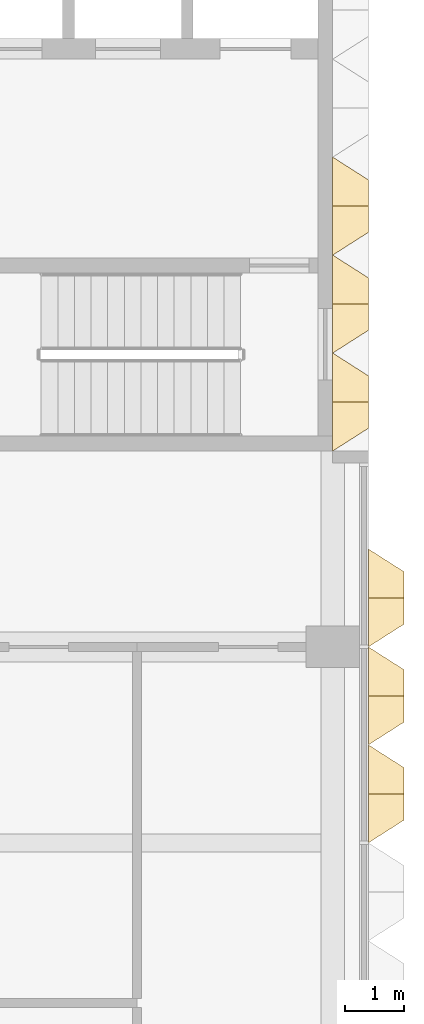
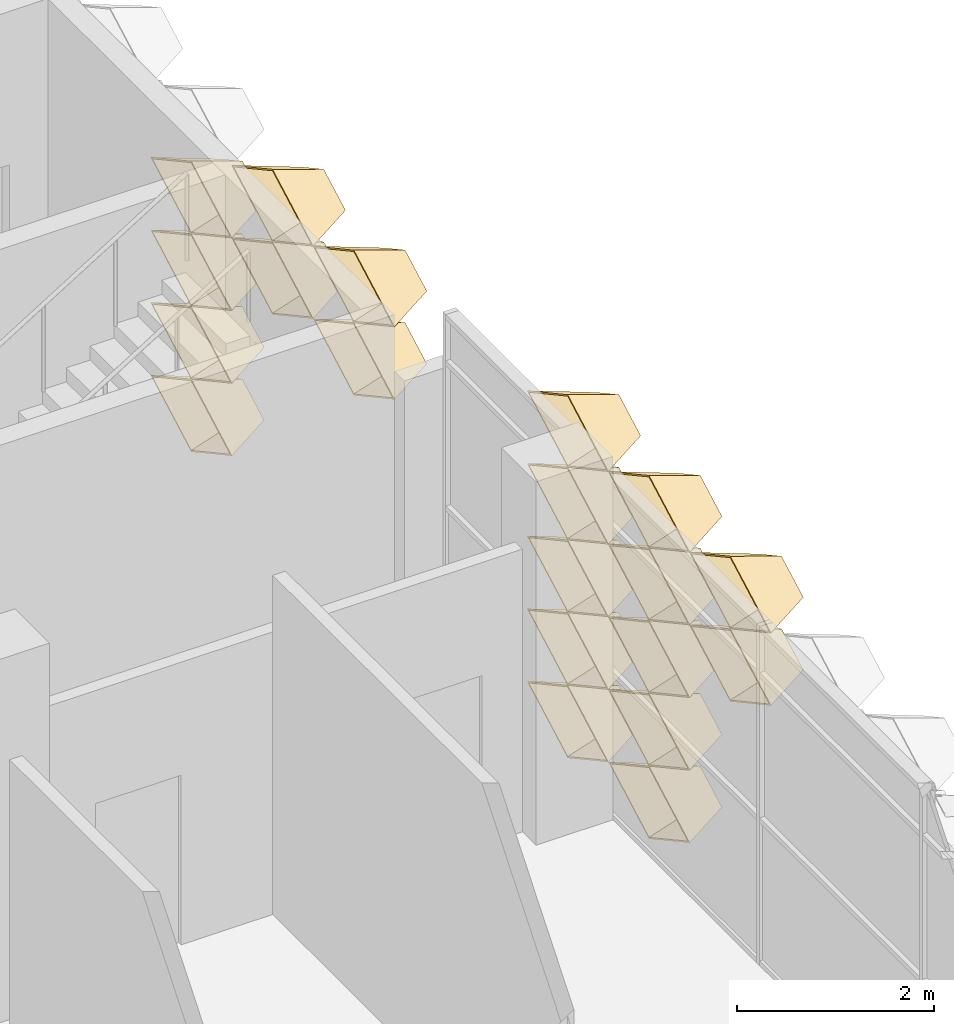
# One storey, part 82 of 109: 20 coverings.
"""IFC4 building model written with IfcOpenShell, lengths in metres."""

from ifc_helpers import new_model, entity, si_unit, direction, frame, origin, place, context, subcontext, project, spatial, material, layer, layer_set, type_object, element, save


model = new_model("IFC4")

# Units and contexts
model_context = context("Model", 3, precision=1e-05, world=origin(), true_north=direction((0.0, 1.0)))
body_context = subcontext(model_context, "Body", "Model", "MODEL_VIEW")
ifc_project = project(units=[si_unit("LENGTHUNIT", "METRE"), si_unit("AREAUNIT", "SQUARE_METRE"), si_unit("VOLUMEUNIT", "CUBIC_METRE"), si_unit("PLANEANGLEUNIT", "RADIAN"), si_unit("MASSUNIT", "GRAM", prefix="KILO")], contexts=[model_context])

# Site, building, storey
site_placement = place(None, origin())
site = spatial("IfcSite", under=ifc_project, at=site_placement, CompositionType="ELEMENT")
building_placement = place(site_placement, origin())
building = spatial("IfcBuilding", under=site, at=building_placement, Name="Lantern Court Research Institute", CompositionType="ELEMENT")
storey_placement = place(building_placement, frame((0.0, 0.0, 14.39990234375)))
storey = spatial("IfcBuildingStorey", under=building, at=storey_placement, Name="L03", CompositionType="ELEMENT", Elevation=14.39990234375)

# Coverings
ifc_material = material(Name="Anodised aluminium", Category="aluminium")
ifc_layer = layer(ifc_material, 0.01611328125)
ifc_layer_set = layer_set([ifc_layer], Name="Anodised aluminium")
covering_type = type_object("IfcCoveringType", Name="Fin cassette 1650 x 900 x 600 aluminium", PredefinedType="CLADDING", material=ifc_layer_set)
covering_1_placement = place(storey_placement, frame((79.199951171875, 17.324951171875, 0.4501953125), z_axis=(1.0, 0.0, 0.0), x_axis=(0.0, 1.0, 0.0)))
cartesian_point_1 = entity("IfcCartesianPoint", [0.824951171875, 0.0])
cartesian_point_2 = entity("IfcCartesianPoint", [0.79150390625, 0.0])
cartesian_point_3 = entity("IfcCartesianPoint", [0.44189453125, 0.0])
cartesian_point_4 = entity("IfcCartesianPoint", [0.43359375, 0.0])
element("IfcCovering", 1, at=covering_1_placement, inside=storey, type_object=covering_type, Name="Fin cassette V5E-L03 1.11", PredefinedType="CLADDING", context=body_context, shape_type="SweptSolid", body=[
    entity("IfcExtrudedAreaSolidTapered", entity("IfcArbitraryProfileDefWithVoids", "AREA", None, entity("IfcPolyline", [cartesian_point_1, entity("IfcCartesianPoint", [0.0, 0.449951171875]), entity("IfcCartesianPoint", [-0.824951171875, 0.0]), entity("IfcCartesianPoint", [0.0, -0.449951171875]), cartesian_point_1]), [entity("IfcPolyline", [cartesian_point_2, entity("IfcCartesianPoint", [0.0, 0.431884765625]), entity("IfcCartesianPoint", [-0.79150390625, 0.0]), entity("IfcCartesianPoint", [0.0, -0.431884765625]), cartesian_point_2])]), entity("IfcAxis2Placement3D", entity("IfcCartesianPoint", [0.0, 0.0, 0.0])), entity("IfcDirection", [0.0, 0.0, 1.0]), 0.60009765625, entity("IfcArbitraryProfileDefWithVoids", "AREA", None, entity("IfcPolyline", [cartesian_point_3, entity("IfcCartesianPoint", [0.0, 0.240966796875]), entity("IfcCartesianPoint", [-0.44189453125, 0.0]), entity("IfcCartesianPoint", [0.0, -0.240966796875]), cartesian_point_3]), [entity("IfcPolyline", [cartesian_point_4, entity("IfcCartesianPoint", [0.0, 0.236572265625]), entity("IfcCartesianPoint", [-0.43359375, 0.0]), entity("IfcCartesianPoint", [0.0, -0.236572265625]), cartesian_point_4])])),
])
covering_2_placement = place(storey_placement, frame((79.199951171875, 17.324951171875, 1.35009765625), z_axis=(1.0, 0.0, 0.0), x_axis=(0.0, 1.0, 0.0)))
cartesian_point_5 = entity("IfcCartesianPoint", [0.824951171875, 0.0])
cartesian_point_6 = entity("IfcCartesianPoint", [0.79150390625, 0.0])
cartesian_point_7 = entity("IfcCartesianPoint", [0.44189453125, 0.0])
cartesian_point_8 = entity("IfcCartesianPoint", [0.43359375, 0.0])
element("IfcCovering", 2, at=covering_2_placement, inside=storey, type_object=covering_type, Name="Fin cassette V5E-L03 2.11", PredefinedType="CLADDING", context=body_context, shape_type="SweptSolid", body=[
    entity("IfcExtrudedAreaSolidTapered", entity("IfcArbitraryProfileDefWithVoids", "AREA", None, entity("IfcPolyline", [cartesian_point_5, entity("IfcCartesianPoint", [0.0, 0.449951171875]), entity("IfcCartesianPoint", [-0.824951171875, 0.0]), entity("IfcCartesianPoint", [0.0, -0.449951171875]), cartesian_point_5]), [entity("IfcPolyline", [cartesian_point_6, entity("IfcCartesianPoint", [0.0, 0.431884765625]), entity("IfcCartesianPoint", [-0.79150390625, 0.0]), entity("IfcCartesianPoint", [0.0, -0.431884765625]), cartesian_point_6])]), entity("IfcAxis2Placement3D", entity("IfcCartesianPoint", [0.0, 0.0, 0.0])), entity("IfcDirection", [0.0, 0.0, 1.0]), 0.60009765625, entity("IfcArbitraryProfileDefWithVoids", "AREA", None, entity("IfcPolyline", [cartesian_point_7, entity("IfcCartesianPoint", [0.0, 0.240966796875]), entity("IfcCartesianPoint", [-0.44189453125, 0.0]), entity("IfcCartesianPoint", [0.0, -0.240966796875]), cartesian_point_7]), [entity("IfcPolyline", [cartesian_point_8, entity("IfcCartesianPoint", [0.0, 0.236572265625]), entity("IfcCartesianPoint", [-0.43359375, 0.0]), entity("IfcCartesianPoint", [0.0, -0.236572265625]), cartesian_point_8])])),
])
covering_3_placement = place(storey_placement, frame((79.199951171875, 17.324951171875, 2.25), z_axis=(1.0, 0.0, 0.0), x_axis=(0.0, 1.0, 0.0)))
cartesian_point_9 = entity("IfcCartesianPoint", [0.824951171875, 0.0])
cartesian_point_10 = entity("IfcCartesianPoint", [0.79150390625, 0.0])
cartesian_point_11 = entity("IfcCartesianPoint", [0.44189453125, 0.0])
cartesian_point_12 = entity("IfcCartesianPoint", [0.43359375, 0.0])
element("IfcCovering", 3, at=covering_3_placement, inside=storey, type_object=covering_type, Name="Fin cassette V5E-L03 3.11", PredefinedType="CLADDING", context=body_context, shape_type="SweptSolid", body=[
    entity("IfcExtrudedAreaSolidTapered", entity("IfcArbitraryProfileDefWithVoids", "AREA", None, entity("IfcPolyline", [cartesian_point_9, entity("IfcCartesianPoint", [0.0, 0.449951171875]), entity("IfcCartesianPoint", [-0.824951171875, 0.0]), entity("IfcCartesianPoint", [0.0, -0.449951171875]), cartesian_point_9]), [entity("IfcPolyline", [cartesian_point_10, entity("IfcCartesianPoint", [0.0, 0.431884765625]), entity("IfcCartesianPoint", [-0.79150390625, 0.0]), entity("IfcCartesianPoint", [0.0, -0.431884765625]), cartesian_point_10])]), entity("IfcAxis2Placement3D", entity("IfcCartesianPoint", [0.0, 0.0, 0.0])), entity("IfcDirection", [0.0, 0.0, 1.0]), 0.60009765625, entity("IfcArbitraryProfileDefWithVoids", "AREA", None, entity("IfcPolyline", [cartesian_point_11, entity("IfcCartesianPoint", [0.0, 0.240966796875]), entity("IfcCartesianPoint", [-0.44189453125, 0.0]), entity("IfcCartesianPoint", [0.0, -0.240966796875]), cartesian_point_11]), [entity("IfcPolyline", [cartesian_point_12, entity("IfcCartesianPoint", [0.0, 0.236572265625]), entity("IfcCartesianPoint", [-0.43359375, 0.0]), entity("IfcCartesianPoint", [0.0, -0.236572265625]), cartesian_point_12])])),
])
covering_4_placement = place(storey_placement, frame((79.199951171875, 14.02490234375, 3.150146484375), z_axis=(1.0, 0.0, 0.0), x_axis=(0.0, 1.0, 0.0)))
cartesian_point_13 = entity("IfcCartesianPoint", [0.824951171875, 0.0])
cartesian_point_14 = entity("IfcCartesianPoint", [0.79150390625, 0.0])
cartesian_point_15 = entity("IfcCartesianPoint", [0.44189453125, 0.0])
cartesian_point_16 = entity("IfcCartesianPoint", [0.43359375, 0.0])
element("IfcCovering", 4, at=covering_4_placement, inside=storey, type_object=covering_type, Name="Fin cassette V5E-L03 4.9", PredefinedType="CLADDING", context=body_context, shape_type="SweptSolid", body=[
    entity("IfcExtrudedAreaSolidTapered", entity("IfcArbitraryProfileDefWithVoids", "AREA", None, entity("IfcPolyline", [cartesian_point_13, entity("IfcCartesianPoint", [0.0, 0.449951171875]), entity("IfcCartesianPoint", [-0.824951171875, 0.0]), entity("IfcCartesianPoint", [0.0, -0.449951171875]), cartesian_point_13]), [entity("IfcPolyline", [cartesian_point_14, entity("IfcCartesianPoint", [0.0, 0.431884765625]), entity("IfcCartesianPoint", [-0.79150390625, 0.0]), entity("IfcCartesianPoint", [0.0, -0.431884765625]), cartesian_point_14])]), entity("IfcAxis2Placement3D", entity("IfcCartesianPoint", [0.0, 0.0, 0.0])), entity("IfcDirection", [0.0, 0.0, 1.0]), 0.60009765625, entity("IfcArbitraryProfileDefWithVoids", "AREA", None, entity("IfcPolyline", [cartesian_point_15, entity("IfcCartesianPoint", [0.0, 0.240966796875]), entity("IfcCartesianPoint", [-0.44189453125, 0.0]), entity("IfcCartesianPoint", [0.0, -0.240966796875]), cartesian_point_15]), [entity("IfcPolyline", [cartesian_point_16, entity("IfcCartesianPoint", [0.0, 0.236572265625]), entity("IfcCartesianPoint", [-0.43359375, 0.0]), entity("IfcCartesianPoint", [0.0, -0.236572265625]), cartesian_point_16])])),
])
covering_5_placement = place(storey_placement, frame((79.199951171875, 15.675048828125, 3.150146484375), z_axis=(1.0, 0.0, 0.0), x_axis=(0.0, 1.0, 0.0)))
cartesian_point_17 = entity("IfcCartesianPoint", [0.824951171875, 0.0])
cartesian_point_18 = entity("IfcCartesianPoint", [0.79150390625, 0.0])
cartesian_point_19 = entity("IfcCartesianPoint", [0.44189453125, 0.0])
cartesian_point_20 = entity("IfcCartesianPoint", [0.43359375, 0.0])
element("IfcCovering", 5, at=covering_5_placement, inside=storey, type_object=covering_type, Name="Fin cassette V5E-L03 4.10", PredefinedType="CLADDING", context=body_context, shape_type="SweptSolid", body=[
    entity("IfcExtrudedAreaSolidTapered", entity("IfcArbitraryProfileDefWithVoids", "AREA", None, entity("IfcPolyline", [cartesian_point_17, entity("IfcCartesianPoint", [0.0, 0.449951171875]), entity("IfcCartesianPoint", [-0.824951171875, 0.0]), entity("IfcCartesianPoint", [0.0, -0.449951171875]), cartesian_point_17]), [entity("IfcPolyline", [cartesian_point_18, entity("IfcCartesianPoint", [0.0, 0.431884765625]), entity("IfcCartesianPoint", [-0.79150390625, 0.0]), entity("IfcCartesianPoint", [0.0, -0.431884765625]), cartesian_point_18])]), entity("IfcAxis2Placement3D", entity("IfcCartesianPoint", [0.0, 0.0, 0.0])), entity("IfcDirection", [0.0, 0.0, 1.0]), 0.60009765625, entity("IfcArbitraryProfileDefWithVoids", "AREA", None, entity("IfcPolyline", [cartesian_point_19, entity("IfcCartesianPoint", [0.0, 0.240966796875]), entity("IfcCartesianPoint", [-0.44189453125, 0.0]), entity("IfcCartesianPoint", [0.0, -0.240966796875]), cartesian_point_19]), [entity("IfcPolyline", [cartesian_point_20, entity("IfcCartesianPoint", [0.0, 0.236572265625]), entity("IfcCartesianPoint", [-0.43359375, 0.0]), entity("IfcCartesianPoint", [0.0, -0.236572265625]), cartesian_point_20])])),
])
covering_6_placement = place(storey_placement, frame((79.199951171875, 17.324951171875, 3.150146484375), z_axis=(1.0, 0.0, 0.0), x_axis=(0.0, 1.0, 0.0)))
cartesian_point_21 = entity("IfcCartesianPoint", [0.824951171875, 0.0])
cartesian_point_22 = entity("IfcCartesianPoint", [0.79150390625, 0.0])
cartesian_point_23 = entity("IfcCartesianPoint", [0.44189453125, 0.0])
cartesian_point_24 = entity("IfcCartesianPoint", [0.43359375, 0.0])
element("IfcCovering", 6, at=covering_6_placement, inside=storey, type_object=covering_type, Name="Fin cassette V5E-L03 4.11", PredefinedType="CLADDING", context=body_context, shape_type="SweptSolid", body=[
    entity("IfcExtrudedAreaSolidTapered", entity("IfcArbitraryProfileDefWithVoids", "AREA", None, entity("IfcPolyline", [cartesian_point_21, entity("IfcCartesianPoint", [0.0, 0.449951171875]), entity("IfcCartesianPoint", [-0.824951171875, 0.0]), entity("IfcCartesianPoint", [0.0, -0.449951171875]), cartesian_point_21]), [entity("IfcPolyline", [cartesian_point_22, entity("IfcCartesianPoint", [0.0, 0.431884765625]), entity("IfcCartesianPoint", [-0.79150390625, 0.0]), entity("IfcCartesianPoint", [0.0, -0.431884765625]), cartesian_point_22])]), entity("IfcAxis2Placement3D", entity("IfcCartesianPoint", [0.0, 0.0, 0.0])), entity("IfcDirection", [0.0, 0.0, 1.0]), 0.60009765625, entity("IfcArbitraryProfileDefWithVoids", "AREA", None, entity("IfcPolyline", [cartesian_point_23, entity("IfcCartesianPoint", [0.0, 0.240966796875]), entity("IfcCartesianPoint", [-0.44189453125, 0.0]), entity("IfcCartesianPoint", [0.0, -0.240966796875]), cartesian_point_23]), [entity("IfcPolyline", [cartesian_point_24, entity("IfcCartesianPoint", [0.0, 0.236572265625]), entity("IfcCartesianPoint", [-0.43359375, 0.0]), entity("IfcCartesianPoint", [0.0, -0.236572265625]), cartesian_point_24])])),
])
covering_7_placement = place(storey_placement, frame((79.199951171875, 14.02490234375, 4.050048828125), z_axis=(1.0, 0.0, 0.0), x_axis=(0.0, 1.0, 0.0)))
cartesian_point_25 = entity("IfcCartesianPoint", [0.824951171875, 0.0])
cartesian_point_26 = entity("IfcCartesianPoint", [0.79150390625, 0.0])
cartesian_point_27 = entity("IfcCartesianPoint", [0.44189453125, 0.0])
cartesian_point_28 = entity("IfcCartesianPoint", [0.43359375, 0.0])
element("IfcCovering", 7, at=covering_7_placement, inside=storey, type_object=covering_type, Name="Fin cassette V5E-L03 5.9", PredefinedType="CLADDING", context=body_context, shape_type="SweptSolid", body=[
    entity("IfcExtrudedAreaSolidTapered", entity("IfcArbitraryProfileDefWithVoids", "AREA", None, entity("IfcPolyline", [cartesian_point_25, entity("IfcCartesianPoint", [0.0, 0.449951171875]), entity("IfcCartesianPoint", [-0.824951171875, 0.0]), entity("IfcCartesianPoint", [0.0, -0.449951171875]), cartesian_point_25]), [entity("IfcPolyline", [cartesian_point_26, entity("IfcCartesianPoint", [0.0, 0.431884765625]), entity("IfcCartesianPoint", [-0.79150390625, 0.0]), entity("IfcCartesianPoint", [0.0, -0.431884765625]), cartesian_point_26])]), entity("IfcAxis2Placement3D", entity("IfcCartesianPoint", [0.0, 0.0, 0.0])), entity("IfcDirection", [0.0, 0.0, 1.0]), 0.60009765625, entity("IfcArbitraryProfileDefWithVoids", "AREA", None, entity("IfcPolyline", [cartesian_point_27, entity("IfcCartesianPoint", [0.0, 0.240966796875]), entity("IfcCartesianPoint", [-0.44189453125, 0.0]), entity("IfcCartesianPoint", [0.0, -0.240966796875]), cartesian_point_27]), [entity("IfcPolyline", [cartesian_point_28, entity("IfcCartesianPoint", [0.0, 0.236572265625]), entity("IfcCartesianPoint", [-0.43359375, 0.0]), entity("IfcCartesianPoint", [0.0, -0.236572265625]), cartesian_point_28])])),
])
covering_8_placement = place(storey_placement, frame((79.199951171875, 15.675048828125, 4.050048828125), z_axis=(1.0, 0.0, 0.0), x_axis=(0.0, 1.0, 0.0)))
cartesian_point_29 = entity("IfcCartesianPoint", [0.824951171875, 0.0])
cartesian_point_30 = entity("IfcCartesianPoint", [0.79150390625, 0.0])
cartesian_point_31 = entity("IfcCartesianPoint", [0.44189453125, 0.0])
cartesian_point_32 = entity("IfcCartesianPoint", [0.43359375, 0.0])
element("IfcCovering", 8, at=covering_8_placement, inside=storey, type_object=covering_type, Name="Fin cassette V5E-L03 5.10", PredefinedType="CLADDING", context=body_context, shape_type="SweptSolid", body=[
    entity("IfcExtrudedAreaSolidTapered", entity("IfcArbitraryProfileDefWithVoids", "AREA", None, entity("IfcPolyline", [cartesian_point_29, entity("IfcCartesianPoint", [0.0, 0.449951171875]), entity("IfcCartesianPoint", [-0.824951171875, 0.0]), entity("IfcCartesianPoint", [0.0, -0.449951171875]), cartesian_point_29]), [entity("IfcPolyline", [cartesian_point_30, entity("IfcCartesianPoint", [0.0, 0.431884765625]), entity("IfcCartesianPoint", [-0.79150390625, 0.0]), entity("IfcCartesianPoint", [0.0, -0.431884765625]), cartesian_point_30])]), entity("IfcAxis2Placement3D", entity("IfcCartesianPoint", [0.0, 0.0, 0.0])), entity("IfcDirection", [0.0, 0.0, 1.0]), 0.60009765625, entity("IfcArbitraryProfileDefWithVoids", "AREA", None, entity("IfcPolyline", [cartesian_point_31, entity("IfcCartesianPoint", [0.0, 0.240966796875]), entity("IfcCartesianPoint", [-0.44189453125, 0.0]), entity("IfcCartesianPoint", [0.0, -0.240966796875]), cartesian_point_31]), [entity("IfcPolyline", [cartesian_point_32, entity("IfcCartesianPoint", [0.0, 0.236572265625]), entity("IfcCartesianPoint", [-0.43359375, 0.0]), entity("IfcCartesianPoint", [0.0, -0.236572265625]), cartesian_point_32])])),
])
covering_9_placement = place(storey_placement, frame((79.800048828125, 9.074951171875, 0.4501953125), z_axis=(1.0, 0.0, 0.0), x_axis=(0.0, 1.0, 0.0)))
cartesian_point_33 = entity("IfcCartesianPoint", [0.824951171875, 0.0])
cartesian_point_34 = entity("IfcCartesianPoint", [0.79150390625, 0.0])
cartesian_point_35 = entity("IfcCartesianPoint", [0.44189453125, 0.0])
cartesian_point_36 = entity("IfcCartesianPoint", [0.43359375, 0.0])
element("IfcCovering", 9, at=covering_9_placement, inside=storey, type_object=covering_type, Name="Fin cassette V5E-L03 1.6", PredefinedType="CLADDING", context=body_context, shape_type="SweptSolid", body=[
    entity("IfcExtrudedAreaSolidTapered", entity("IfcArbitraryProfileDefWithVoids", "AREA", None, entity("IfcPolyline", [cartesian_point_33, entity("IfcCartesianPoint", [0.0, 0.449951171875]), entity("IfcCartesianPoint", [-0.824951171875, 0.0]), entity("IfcCartesianPoint", [0.0, -0.449951171875]), cartesian_point_33]), [entity("IfcPolyline", [cartesian_point_34, entity("IfcCartesianPoint", [0.0, 0.431884765625]), entity("IfcCartesianPoint", [-0.79150390625, 0.0]), entity("IfcCartesianPoint", [0.0, -0.431884765625]), cartesian_point_34])]), entity("IfcAxis2Placement3D", entity("IfcCartesianPoint", [0.0, 0.0, 0.0])), entity("IfcDirection", [0.0, 0.0, 1.0]), 0.60009765625, entity("IfcArbitraryProfileDefWithVoids", "AREA", None, entity("IfcPolyline", [cartesian_point_35, entity("IfcCartesianPoint", [0.0, 0.240966796875]), entity("IfcCartesianPoint", [-0.44189453125, 0.0]), entity("IfcCartesianPoint", [0.0, -0.240966796875]), cartesian_point_35]), [entity("IfcPolyline", [cartesian_point_36, entity("IfcCartesianPoint", [0.0, 0.236572265625]), entity("IfcCartesianPoint", [-0.43359375, 0.0]), entity("IfcCartesianPoint", [0.0, -0.236572265625]), cartesian_point_36])])),
])
covering_10_placement = place(storey_placement, frame((79.800048828125, 10.72509765625, 0.4501953125), z_axis=(1.0, 0.0, 0.0), x_axis=(0.0, 1.0, 0.0)))
cartesian_point_37 = entity("IfcCartesianPoint", [0.824951171875, 0.0])
cartesian_point_38 = entity("IfcCartesianPoint", [0.79150390625, 0.0])
cartesian_point_39 = entity("IfcCartesianPoint", [0.44189453125, 0.0])
cartesian_point_40 = entity("IfcCartesianPoint", [0.43359375, 0.0])
element("IfcCovering", 10, at=covering_10_placement, inside=storey, type_object=covering_type, Name="Fin cassette V5E-L03 1.7", PredefinedType="CLADDING", context=body_context, shape_type="SweptSolid", body=[
    entity("IfcExtrudedAreaSolidTapered", entity("IfcArbitraryProfileDefWithVoids", "AREA", None, entity("IfcPolyline", [cartesian_point_37, entity("IfcCartesianPoint", [0.0, 0.449951171875]), entity("IfcCartesianPoint", [-0.824951171875, 0.0]), entity("IfcCartesianPoint", [0.0, -0.449951171875]), cartesian_point_37]), [entity("IfcPolyline", [cartesian_point_38, entity("IfcCartesianPoint", [0.0, 0.431884765625]), entity("IfcCartesianPoint", [-0.79150390625, 0.0]), entity("IfcCartesianPoint", [0.0, -0.431884765625]), cartesian_point_38])]), entity("IfcAxis2Placement3D", entity("IfcCartesianPoint", [0.0, 0.0, 0.0])), entity("IfcDirection", [0.0, 0.0, 1.0]), 0.60009765625, entity("IfcArbitraryProfileDefWithVoids", "AREA", None, entity("IfcPolyline", [cartesian_point_39, entity("IfcCartesianPoint", [0.0, 0.240966796875]), entity("IfcCartesianPoint", [-0.44189453125, 0.0]), entity("IfcCartesianPoint", [0.0, -0.240966796875]), cartesian_point_39]), [entity("IfcPolyline", [cartesian_point_40, entity("IfcCartesianPoint", [0.0, 0.236572265625]), entity("IfcCartesianPoint", [-0.43359375, 0.0]), entity("IfcCartesianPoint", [0.0, -0.236572265625]), cartesian_point_40])])),
])
covering_11_placement = place(storey_placement, frame((79.800048828125, 9.074951171875, 1.35009765625), z_axis=(1.0, 0.0, 0.0), x_axis=(0.0, 1.0, 0.0)))
cartesian_point_41 = entity("IfcCartesianPoint", [0.824951171875, 0.0])
cartesian_point_42 = entity("IfcCartesianPoint", [0.79150390625, 0.0])
cartesian_point_43 = entity("IfcCartesianPoint", [0.44189453125, 0.0])
cartesian_point_44 = entity("IfcCartesianPoint", [0.43359375, 0.0])
element("IfcCovering", 11, at=covering_11_placement, inside=storey, type_object=covering_type, Name="Fin cassette V5E-L03 2.6", PredefinedType="CLADDING", context=body_context, shape_type="SweptSolid", body=[
    entity("IfcExtrudedAreaSolidTapered", entity("IfcArbitraryProfileDefWithVoids", "AREA", None, entity("IfcPolyline", [cartesian_point_41, entity("IfcCartesianPoint", [0.0, 0.449951171875]), entity("IfcCartesianPoint", [-0.824951171875, 0.0]), entity("IfcCartesianPoint", [0.0, -0.449951171875]), cartesian_point_41]), [entity("IfcPolyline", [cartesian_point_42, entity("IfcCartesianPoint", [0.0, 0.431884765625]), entity("IfcCartesianPoint", [-0.79150390625, 0.0]), entity("IfcCartesianPoint", [0.0, -0.431884765625]), cartesian_point_42])]), entity("IfcAxis2Placement3D", entity("IfcCartesianPoint", [0.0, 0.0, 0.0])), entity("IfcDirection", [0.0, 0.0, 1.0]), 0.60009765625, entity("IfcArbitraryProfileDefWithVoids", "AREA", None, entity("IfcPolyline", [cartesian_point_43, entity("IfcCartesianPoint", [0.0, 0.240966796875]), entity("IfcCartesianPoint", [-0.44189453125, 0.0]), entity("IfcCartesianPoint", [0.0, -0.240966796875]), cartesian_point_43]), [entity("IfcPolyline", [cartesian_point_44, entity("IfcCartesianPoint", [0.0, 0.236572265625]), entity("IfcCartesianPoint", [-0.43359375, 0.0]), entity("IfcCartesianPoint", [0.0, -0.236572265625]), cartesian_point_44])])),
])
covering_12_placement = place(storey_placement, frame((79.800048828125, 10.72509765625, 1.35009765625), z_axis=(1.0, 0.0, 0.0), x_axis=(0.0, 1.0, 0.0)))
cartesian_point_45 = entity("IfcCartesianPoint", [0.824951171875, 0.0])
cartesian_point_46 = entity("IfcCartesianPoint", [0.79150390625, 0.0])
cartesian_point_47 = entity("IfcCartesianPoint", [0.44189453125, 0.0])
cartesian_point_48 = entity("IfcCartesianPoint", [0.43359375, 0.0])
element("IfcCovering", 12, at=covering_12_placement, inside=storey, type_object=covering_type, Name="Fin cassette V5E-L03 2.7", PredefinedType="CLADDING", context=body_context, shape_type="SweptSolid", body=[
    entity("IfcExtrudedAreaSolidTapered", entity("IfcArbitraryProfileDefWithVoids", "AREA", None, entity("IfcPolyline", [cartesian_point_45, entity("IfcCartesianPoint", [0.0, 0.449951171875]), entity("IfcCartesianPoint", [-0.824951171875, 0.0]), entity("IfcCartesianPoint", [0.0, -0.449951171875]), cartesian_point_45]), [entity("IfcPolyline", [cartesian_point_46, entity("IfcCartesianPoint", [0.0, 0.431884765625]), entity("IfcCartesianPoint", [-0.79150390625, 0.0]), entity("IfcCartesianPoint", [0.0, -0.431884765625]), cartesian_point_46])]), entity("IfcAxis2Placement3D", entity("IfcCartesianPoint", [0.0, 0.0, 0.0])), entity("IfcDirection", [0.0, 0.0, 1.0]), 0.60009765625, entity("IfcArbitraryProfileDefWithVoids", "AREA", None, entity("IfcPolyline", [cartesian_point_47, entity("IfcCartesianPoint", [0.0, 0.240966796875]), entity("IfcCartesianPoint", [-0.44189453125, 0.0]), entity("IfcCartesianPoint", [0.0, -0.240966796875]), cartesian_point_47]), [entity("IfcPolyline", [cartesian_point_48, entity("IfcCartesianPoint", [0.0, 0.236572265625]), entity("IfcCartesianPoint", [-0.43359375, 0.0]), entity("IfcCartesianPoint", [0.0, -0.236572265625]), cartesian_point_48])])),
])
covering_13_placement = place(storey_placement, frame((79.800048828125, 9.074951171875, 2.25), z_axis=(1.0, 0.0, 0.0), x_axis=(0.0, 1.0, 0.0)))
cartesian_point_49 = entity("IfcCartesianPoint", [0.824951171875, 0.0])
cartesian_point_50 = entity("IfcCartesianPoint", [0.79150390625, 0.0])
cartesian_point_51 = entity("IfcCartesianPoint", [0.44189453125, 0.0])
cartesian_point_52 = entity("IfcCartesianPoint", [0.43359375, 0.0])
element("IfcCovering", 13, at=covering_13_placement, inside=storey, type_object=covering_type, Name="Fin cassette V5E-L03 3.6", PredefinedType="CLADDING", context=body_context, shape_type="SweptSolid", body=[
    entity("IfcExtrudedAreaSolidTapered", entity("IfcArbitraryProfileDefWithVoids", "AREA", None, entity("IfcPolyline", [cartesian_point_49, entity("IfcCartesianPoint", [0.0, 0.449951171875]), entity("IfcCartesianPoint", [-0.824951171875, 0.0]), entity("IfcCartesianPoint", [0.0, -0.449951171875]), cartesian_point_49]), [entity("IfcPolyline", [cartesian_point_50, entity("IfcCartesianPoint", [0.0, 0.431884765625]), entity("IfcCartesianPoint", [-0.79150390625, 0.0]), entity("IfcCartesianPoint", [0.0, -0.431884765625]), cartesian_point_50])]), entity("IfcAxis2Placement3D", entity("IfcCartesianPoint", [0.0, 0.0, 0.0])), entity("IfcDirection", [0.0, 0.0, 1.0]), 0.60009765625, entity("IfcArbitraryProfileDefWithVoids", "AREA", None, entity("IfcPolyline", [cartesian_point_51, entity("IfcCartesianPoint", [0.0, 0.240966796875]), entity("IfcCartesianPoint", [-0.44189453125, 0.0]), entity("IfcCartesianPoint", [0.0, -0.240966796875]), cartesian_point_51]), [entity("IfcPolyline", [cartesian_point_52, entity("IfcCartesianPoint", [0.0, 0.236572265625]), entity("IfcCartesianPoint", [-0.43359375, 0.0]), entity("IfcCartesianPoint", [0.0, -0.236572265625]), cartesian_point_52])])),
])
covering_14_placement = place(storey_placement, frame((79.800048828125, 10.72509765625, 2.25), z_axis=(1.0, 0.0, 0.0), x_axis=(0.0, 1.0, 0.0)))
cartesian_point_53 = entity("IfcCartesianPoint", [0.824951171875, 0.0])
cartesian_point_54 = entity("IfcCartesianPoint", [0.79150390625, 0.0])
cartesian_point_55 = entity("IfcCartesianPoint", [0.44189453125, 0.0])
cartesian_point_56 = entity("IfcCartesianPoint", [0.43359375, 0.0])
element("IfcCovering", 14, at=covering_14_placement, inside=storey, type_object=covering_type, Name="Fin cassette V5E-L03 3.7", PredefinedType="CLADDING", context=body_context, shape_type="SweptSolid", body=[
    entity("IfcExtrudedAreaSolidTapered", entity("IfcArbitraryProfileDefWithVoids", "AREA", None, entity("IfcPolyline", [cartesian_point_53, entity("IfcCartesianPoint", [0.0, 0.449951171875]), entity("IfcCartesianPoint", [-0.824951171875, 0.0]), entity("IfcCartesianPoint", [0.0, -0.449951171875]), cartesian_point_53]), [entity("IfcPolyline", [cartesian_point_54, entity("IfcCartesianPoint", [0.0, 0.431884765625]), entity("IfcCartesianPoint", [-0.79150390625, 0.0]), entity("IfcCartesianPoint", [0.0, -0.431884765625]), cartesian_point_54])]), entity("IfcAxis2Placement3D", entity("IfcCartesianPoint", [0.0, 0.0, 0.0])), entity("IfcDirection", [0.0, 0.0, 1.0]), 0.60009765625, entity("IfcArbitraryProfileDefWithVoids", "AREA", None, entity("IfcPolyline", [cartesian_point_55, entity("IfcCartesianPoint", [0.0, 0.240966796875]), entity("IfcCartesianPoint", [-0.44189453125, 0.0]), entity("IfcCartesianPoint", [0.0, -0.240966796875]), cartesian_point_55]), [entity("IfcPolyline", [cartesian_point_56, entity("IfcCartesianPoint", [0.0, 0.236572265625]), entity("IfcCartesianPoint", [-0.43359375, 0.0]), entity("IfcCartesianPoint", [0.0, -0.236572265625]), cartesian_point_56])])),
])
covering_15_placement = place(storey_placement, frame((79.800048828125, 7.425048828125, 3.150146484375), z_axis=(1.0, 0.0, 0.0), x_axis=(0.0, 1.0, 0.0)))
cartesian_point_57 = entity("IfcCartesianPoint", [0.824951171875, 0.0])
cartesian_point_58 = entity("IfcCartesianPoint", [0.79150390625, 0.0])
cartesian_point_59 = entity("IfcCartesianPoint", [0.44189453125, 0.0])
cartesian_point_60 = entity("IfcCartesianPoint", [0.43359375, 0.0])
element("IfcCovering", 15, at=covering_15_placement, inside=storey, type_object=covering_type, Name="Fin cassette V5E-L03 4.5", PredefinedType="CLADDING", context=body_context, shape_type="SweptSolid", body=[
    entity("IfcExtrudedAreaSolidTapered", entity("IfcArbitraryProfileDefWithVoids", "AREA", None, entity("IfcPolyline", [cartesian_point_57, entity("IfcCartesianPoint", [0.0, 0.449951171875]), entity("IfcCartesianPoint", [-0.824951171875, 0.0]), entity("IfcCartesianPoint", [0.0, -0.449951171875]), cartesian_point_57]), [entity("IfcPolyline", [cartesian_point_58, entity("IfcCartesianPoint", [0.0, 0.431884765625]), entity("IfcCartesianPoint", [-0.79150390625, 0.0]), entity("IfcCartesianPoint", [0.0, -0.431884765625]), cartesian_point_58])]), entity("IfcAxis2Placement3D", entity("IfcCartesianPoint", [0.0, 0.0, 0.0])), entity("IfcDirection", [0.0, 0.0, 1.0]), 0.60009765625, entity("IfcArbitraryProfileDefWithVoids", "AREA", None, entity("IfcPolyline", [cartesian_point_59, entity("IfcCartesianPoint", [0.0, 0.240966796875]), entity("IfcCartesianPoint", [-0.44189453125, 0.0]), entity("IfcCartesianPoint", [0.0, -0.240966796875]), cartesian_point_59]), [entity("IfcPolyline", [cartesian_point_60, entity("IfcCartesianPoint", [0.0, 0.236572265625]), entity("IfcCartesianPoint", [-0.43359375, 0.0]), entity("IfcCartesianPoint", [0.0, -0.236572265625]), cartesian_point_60])])),
])
covering_16_placement = place(storey_placement, frame((79.800048828125, 9.074951171875, 3.150146484375), z_axis=(1.0, 0.0, 0.0), x_axis=(0.0, 1.0, 0.0)))
cartesian_point_61 = entity("IfcCartesianPoint", [0.824951171875, 0.0])
cartesian_point_62 = entity("IfcCartesianPoint", [0.79150390625, 0.0])
cartesian_point_63 = entity("IfcCartesianPoint", [0.44189453125, 0.0])
cartesian_point_64 = entity("IfcCartesianPoint", [0.43359375, 0.0])
element("IfcCovering", 16, at=covering_16_placement, inside=storey, type_object=covering_type, Name="Fin cassette V5E-L03 4.6", PredefinedType="CLADDING", context=body_context, shape_type="SweptSolid", body=[
    entity("IfcExtrudedAreaSolidTapered", entity("IfcArbitraryProfileDefWithVoids", "AREA", None, entity("IfcPolyline", [cartesian_point_61, entity("IfcCartesianPoint", [0.0, 0.449951171875]), entity("IfcCartesianPoint", [-0.824951171875, 0.0]), entity("IfcCartesianPoint", [0.0, -0.449951171875]), cartesian_point_61]), [entity("IfcPolyline", [cartesian_point_62, entity("IfcCartesianPoint", [0.0, 0.431884765625]), entity("IfcCartesianPoint", [-0.79150390625, 0.0]), entity("IfcCartesianPoint", [0.0, -0.431884765625]), cartesian_point_62])]), entity("IfcAxis2Placement3D", entity("IfcCartesianPoint", [0.0, 0.0, 0.0])), entity("IfcDirection", [0.0, 0.0, 1.0]), 0.60009765625, entity("IfcArbitraryProfileDefWithVoids", "AREA", None, entity("IfcPolyline", [cartesian_point_63, entity("IfcCartesianPoint", [0.0, 0.240966796875]), entity("IfcCartesianPoint", [-0.44189453125, 0.0]), entity("IfcCartesianPoint", [0.0, -0.240966796875]), cartesian_point_63]), [entity("IfcPolyline", [cartesian_point_64, entity("IfcCartesianPoint", [0.0, 0.236572265625]), entity("IfcCartesianPoint", [-0.43359375, 0.0]), entity("IfcCartesianPoint", [0.0, -0.236572265625]), cartesian_point_64])])),
])
covering_17_placement = place(storey_placement, frame((79.800048828125, 10.72509765625, 3.150146484375), z_axis=(1.0, 0.0, 0.0), x_axis=(0.0, 1.0, 0.0)))
cartesian_point_65 = entity("IfcCartesianPoint", [0.824951171875, 0.0])
cartesian_point_66 = entity("IfcCartesianPoint", [0.79150390625, 0.0])
cartesian_point_67 = entity("IfcCartesianPoint", [0.44189453125, 0.0])
cartesian_point_68 = entity("IfcCartesianPoint", [0.43359375, 0.0])
element("IfcCovering", 17, at=covering_17_placement, inside=storey, type_object=covering_type, Name="Fin cassette V5E-L03 4.7", PredefinedType="CLADDING", context=body_context, shape_type="SweptSolid", body=[
    entity("IfcExtrudedAreaSolidTapered", entity("IfcArbitraryProfileDefWithVoids", "AREA", None, entity("IfcPolyline", [cartesian_point_65, entity("IfcCartesianPoint", [0.0, 0.449951171875]), entity("IfcCartesianPoint", [-0.824951171875, 0.0]), entity("IfcCartesianPoint", [0.0, -0.449951171875]), cartesian_point_65]), [entity("IfcPolyline", [cartesian_point_66, entity("IfcCartesianPoint", [0.0, 0.431884765625]), entity("IfcCartesianPoint", [-0.79150390625, 0.0]), entity("IfcCartesianPoint", [0.0, -0.431884765625]), cartesian_point_66])]), entity("IfcAxis2Placement3D", entity("IfcCartesianPoint", [0.0, 0.0, 0.0])), entity("IfcDirection", [0.0, 0.0, 1.0]), 0.60009765625, entity("IfcArbitraryProfileDefWithVoids", "AREA", None, entity("IfcPolyline", [cartesian_point_67, entity("IfcCartesianPoint", [0.0, 0.240966796875]), entity("IfcCartesianPoint", [-0.44189453125, 0.0]), entity("IfcCartesianPoint", [0.0, -0.240966796875]), cartesian_point_67]), [entity("IfcPolyline", [cartesian_point_68, entity("IfcCartesianPoint", [0.0, 0.236572265625]), entity("IfcCartesianPoint", [-0.43359375, 0.0]), entity("IfcCartesianPoint", [0.0, -0.236572265625]), cartesian_point_68])])),
])
covering_18_placement = place(storey_placement, frame((79.800048828125, 7.425048828125, 4.050048828125), z_axis=(1.0, 0.0, 0.0), x_axis=(0.0, 1.0, 0.0)))
cartesian_point_69 = entity("IfcCartesianPoint", [0.824951171875, 0.0])
cartesian_point_70 = entity("IfcCartesianPoint", [0.79150390625, 0.0])
cartesian_point_71 = entity("IfcCartesianPoint", [0.44189453125, 0.0])
cartesian_point_72 = entity("IfcCartesianPoint", [0.43359375, 0.0])
element("IfcCovering", 18, at=covering_18_placement, inside=storey, type_object=covering_type, Name="Fin cassette V5E-L03 5.5", PredefinedType="CLADDING", context=body_context, shape_type="SweptSolid", body=[
    entity("IfcExtrudedAreaSolidTapered", entity("IfcArbitraryProfileDefWithVoids", "AREA", None, entity("IfcPolyline", [cartesian_point_69, entity("IfcCartesianPoint", [0.0, 0.449951171875]), entity("IfcCartesianPoint", [-0.824951171875, 0.0]), entity("IfcCartesianPoint", [0.0, -0.449951171875]), cartesian_point_69]), [entity("IfcPolyline", [cartesian_point_70, entity("IfcCartesianPoint", [0.0, 0.431884765625]), entity("IfcCartesianPoint", [-0.79150390625, 0.0]), entity("IfcCartesianPoint", [0.0, -0.431884765625]), cartesian_point_70])]), entity("IfcAxis2Placement3D", entity("IfcCartesianPoint", [0.0, 0.0, 0.0])), entity("IfcDirection", [0.0, 0.0, 1.0]), 0.60009765625, entity("IfcArbitraryProfileDefWithVoids", "AREA", None, entity("IfcPolyline", [cartesian_point_71, entity("IfcCartesianPoint", [0.0, 0.240966796875]), entity("IfcCartesianPoint", [-0.44189453125, 0.0]), entity("IfcCartesianPoint", [0.0, -0.240966796875]), cartesian_point_71]), [entity("IfcPolyline", [cartesian_point_72, entity("IfcCartesianPoint", [0.0, 0.236572265625]), entity("IfcCartesianPoint", [-0.43359375, 0.0]), entity("IfcCartesianPoint", [0.0, -0.236572265625]), cartesian_point_72])])),
])
covering_19_placement = place(storey_placement, frame((79.800048828125, 9.074951171875, 4.050048828125), z_axis=(1.0, 0.0, 0.0), x_axis=(0.0, 1.0, 0.0)))
cartesian_point_73 = entity("IfcCartesianPoint", [0.824951171875, 0.0])
cartesian_point_74 = entity("IfcCartesianPoint", [0.79150390625, 0.0])
cartesian_point_75 = entity("IfcCartesianPoint", [0.44189453125, 0.0])
cartesian_point_76 = entity("IfcCartesianPoint", [0.43359375, 0.0])
element("IfcCovering", 19, at=covering_19_placement, inside=storey, type_object=covering_type, Name="Fin cassette V5E-L03 5.6", PredefinedType="CLADDING", context=body_context, shape_type="SweptSolid", body=[
    entity("IfcExtrudedAreaSolidTapered", entity("IfcArbitraryProfileDefWithVoids", "AREA", None, entity("IfcPolyline", [cartesian_point_73, entity("IfcCartesianPoint", [0.0, 0.449951171875]), entity("IfcCartesianPoint", [-0.824951171875, 0.0]), entity("IfcCartesianPoint", [0.0, -0.449951171875]), cartesian_point_73]), [entity("IfcPolyline", [cartesian_point_74, entity("IfcCartesianPoint", [0.0, 0.431884765625]), entity("IfcCartesianPoint", [-0.79150390625, 0.0]), entity("IfcCartesianPoint", [0.0, -0.431884765625]), cartesian_point_74])]), entity("IfcAxis2Placement3D", entity("IfcCartesianPoint", [0.0, 0.0, 0.0])), entity("IfcDirection", [0.0, 0.0, 1.0]), 0.60009765625, entity("IfcArbitraryProfileDefWithVoids", "AREA", None, entity("IfcPolyline", [cartesian_point_75, entity("IfcCartesianPoint", [0.0, 0.240966796875]), entity("IfcCartesianPoint", [-0.44189453125, 0.0]), entity("IfcCartesianPoint", [0.0, -0.240966796875]), cartesian_point_75]), [entity("IfcPolyline", [cartesian_point_76, entity("IfcCartesianPoint", [0.0, 0.236572265625]), entity("IfcCartesianPoint", [-0.43359375, 0.0]), entity("IfcCartesianPoint", [0.0, -0.236572265625]), cartesian_point_76])])),
])
covering_20_placement = place(storey_placement, frame((79.800048828125, 10.72509765625, 4.050048828125), z_axis=(1.0, 0.0, 0.0), x_axis=(0.0, 1.0, 0.0)))
cartesian_point_77 = entity("IfcCartesianPoint", [0.824951171875, 0.0])
cartesian_point_78 = entity("IfcCartesianPoint", [0.79150390625, 0.0])
cartesian_point_79 = entity("IfcCartesianPoint", [0.44189453125, 0.0])
cartesian_point_80 = entity("IfcCartesianPoint", [0.43359375, 0.0])
element("IfcCovering", 20, at=covering_20_placement, inside=storey, type_object=covering_type, Name="Fin cassette V5E-L03 5.7", PredefinedType="CLADDING", context=body_context, shape_type="SweptSolid", body=[
    entity("IfcExtrudedAreaSolidTapered", entity("IfcArbitraryProfileDefWithVoids", "AREA", None, entity("IfcPolyline", [cartesian_point_77, entity("IfcCartesianPoint", [0.0, 0.449951171875]), entity("IfcCartesianPoint", [-0.824951171875, 0.0]), entity("IfcCartesianPoint", [0.0, -0.449951171875]), cartesian_point_77]), [entity("IfcPolyline", [cartesian_point_78, entity("IfcCartesianPoint", [0.0, 0.431884765625]), entity("IfcCartesianPoint", [-0.79150390625, 0.0]), entity("IfcCartesianPoint", [0.0, -0.431884765625]), cartesian_point_78])]), entity("IfcAxis2Placement3D", entity("IfcCartesianPoint", [0.0, 0.0, 0.0])), entity("IfcDirection", [0.0, 0.0, 1.0]), 0.60009765625, entity("IfcArbitraryProfileDefWithVoids", "AREA", None, entity("IfcPolyline", [cartesian_point_79, entity("IfcCartesianPoint", [0.0, 0.240966796875]), entity("IfcCartesianPoint", [-0.44189453125, 0.0]), entity("IfcCartesianPoint", [0.0, -0.240966796875]), cartesian_point_79]), [entity("IfcPolyline", [cartesian_point_80, entity("IfcCartesianPoint", [0.0, 0.236572265625]), entity("IfcCartesianPoint", [-0.43359375, 0.0]), entity("IfcCartesianPoint", [0.0, -0.236572265625]), cartesian_point_80])])),
])

save(model, "model.ifc")
